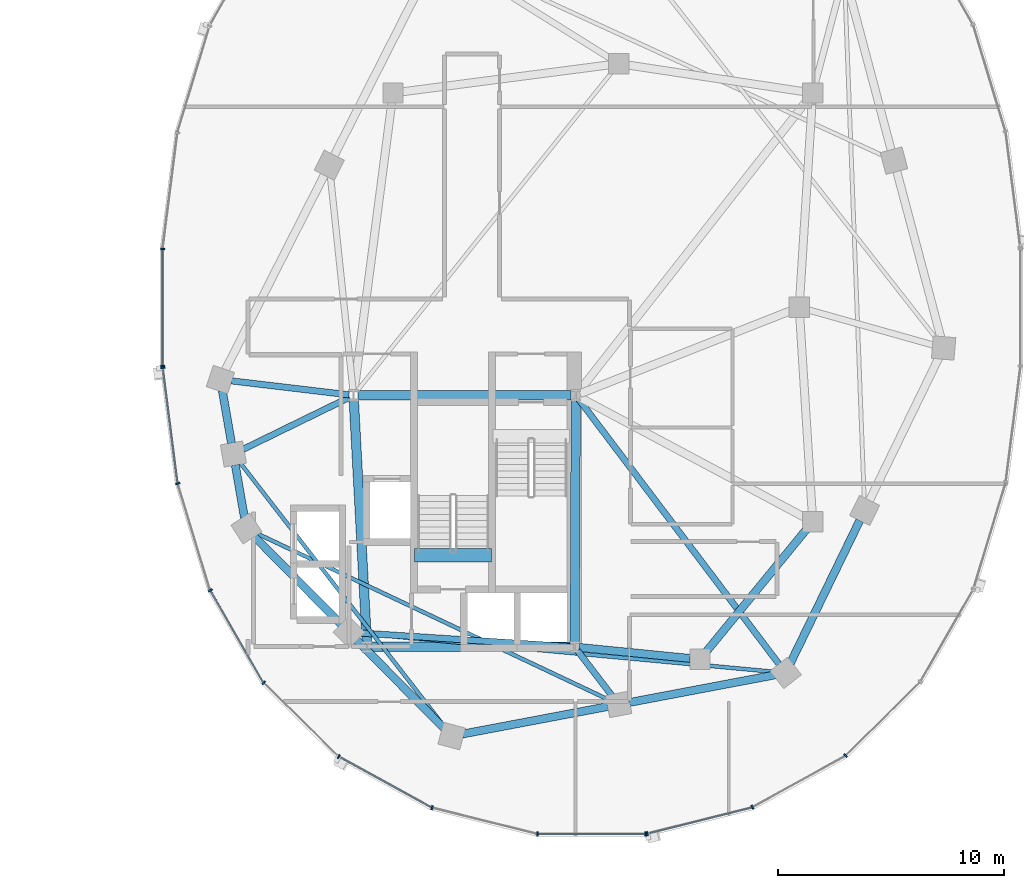
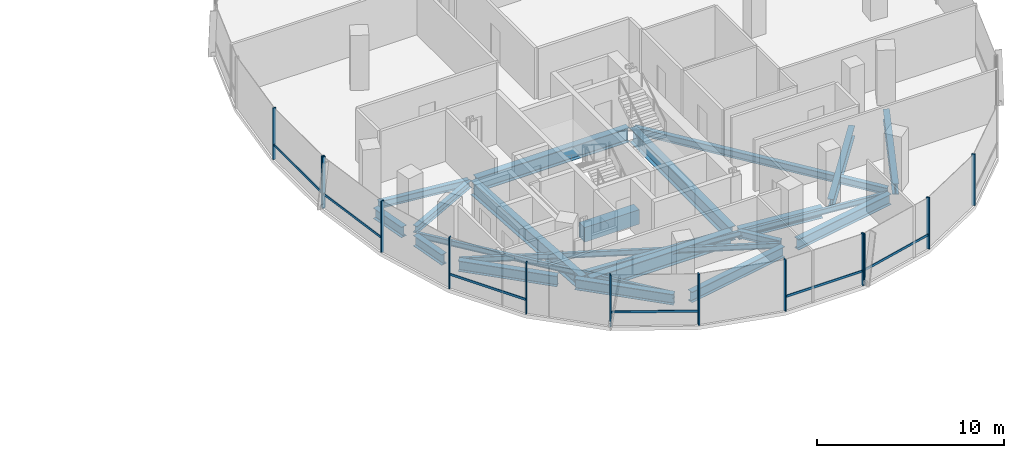
# One storey, part 6 of 22: 22 beams, 19 members, 3 elements without a shape of their own.
"""IFC4 building model written with IfcOpenShell, lengths in metres."""

import ifcopenshell
import ifcopenshell.guid

model = None  # the IFC model being written
_history = None  # IfcOwnerHistory: only IFC2X3 demands one
_inside = {}  # id of a spatial element -> (the spatial element, [elements in it])
_under = {}  # id of a project, library or spatial element -> (it, [spatial elements below it])
_declared = {}  # id of a project -> (the project, [libraries it declares])
_typed = {}  # id of a type object -> (the type object, [elements of that type])
_made_of = {}  # id of a material, layer set ... -> (it, [elements and type objects made of it])


def new_model(schema):
    """Start an empty IFC model of exactly this schema.

    Asked for "IFC4X3", IfcOpenShell would pick the latest addendum, in which some entities
    have other attributes; the version numbers below select the first issue.
    IFC2X3 requires an IfcOwnerHistory on every rooted entity: one is made here for all.
    """
    global model, _history
    if schema == "IFC4X3":
        model = ifcopenshell.file(schema_version=(4, 3, 0, 0))
    else:
        model = ifcopenshell.file(schema=schema)
    _inside.clear()
    _under.clear()
    _declared.clear()
    _typed.clear()
    _made_of.clear()
    _history = None
    if model.schema == "IFC2X3":
        org = make("IfcOrganization", Name="unknown")
        user = make(
            "IfcPersonAndOrganization",
            ThePerson=make("IfcPerson", FamilyName="unknown"),
            TheOrganization=org,
        )
        app = make(
            "IfcApplication",
            ApplicationDeveloper=org,
            Version="unknown",
            ApplicationFullName="unknown",
            ApplicationIdentifier="unknown",
        )
        _history = make(
            "IfcOwnerHistory",
            OwningUser=user,
            OwningApplication=app,
            ChangeAction="ADDED",
            CreationDate=0,
        )
    return model


def make(cls, **values):
    """One entity of the class cls with the attributes given. An attribute that is None is left unset."""
    return model.create_entity(
        cls, **{name: value for name, value in values.items() if value is not None}
    )


def rooted(cls, **values):
    """An entity with a GlobalId (a new one), such as an element, a storey or a relation."""
    return make(cls, GlobalId=ifcopenshell.guid.new(), OwnerHistory=_history, **values)


def si_unit(unit_type, name, prefix=None):
    """IfcSIUnit, for example si_unit("LENGTHUNIT", "METRE", prefix="MILLI")."""
    return make("IfcSIUnit", UnitType=unit_type, Prefix=prefix, Name=name)


def assignment(units):
    """IfcUnitAssignment: the units of a project."""
    return None if units is None else make("IfcUnitAssignment", Units=units)


def point(xyz):
    """IfcCartesianPoint."""
    return None if xyz is None else make("IfcCartesianPoint", Coordinates=xyz)


def direction(xyz):
    """IfcDirection."""
    return None if xyz is None else make("IfcDirection", DirectionRatios=xyz)


def frame(location, z_axis=None, x_axis=None):
    """IfcAxis2Placement3D, a coordinate frame: its origin and axes. An axis left out is left unset."""
    return make(
        "IfcAxis2Placement3D",
        Location=point(location),
        Axis=direction(z_axis),
        RefDirection=direction(x_axis),
    )


def frame_2d(location, x_axis=None):
    """IfcAxis2Placement2D, a coordinate frame in the plane: its origin and x axis."""
    return make(
        "IfcAxis2Placement2D", Location=point(location), RefDirection=direction(x_axis)
    )


def origin():
    """The frame at (0, 0, 0) with its axes left unset."""
    return frame((0.0, 0.0, 0.0))


def origin_2d():
    """The frame at (0, 0) in the plane with its x axis left unset."""
    return frame_2d((0.0, 0.0))


def place(relative_to, where):
    """IfcLocalPlacement: puts the frame where relative to a parent placement (None: the world)."""
    return make(
        "IfcLocalPlacement", PlacementRelTo=relative_to, RelativePlacement=where
    )


def context(
    kind, dimensions, precision=None, world=None, true_north=None, identifier=None
):
    """IfcGeometricRepresentationContext, for example the 3D "Model" context."""
    return make(
        "IfcGeometricRepresentationContext",
        ContextIdentifier=identifier,
        ContextType=kind,
        CoordinateSpaceDimension=dimensions,
        Precision=precision,
        WorldCoordinateSystem=world,
        TrueNorth=true_north,
    )


def subcontext(parent, identifier, kind, view, scale=None):
    """IfcGeometricRepresentationSubContext, for example "Body" below "Model"."""
    return make(
        "IfcGeometricRepresentationSubContext",
        ContextIdentifier=identifier,
        ContextType=kind,
        ParentContext=parent,
        TargetScale=scale,
        TargetView=view,
    )


def project(units=None, contexts=None):
    """IfcProject with its units and contexts."""
    return rooted(
        "IfcProject",
        Name="project",
        RepresentationContexts=contexts,
        UnitsInContext=assignment(units),
    )


def spatial(cls, under=None, at=None, **own):
    """A site, building, storey or space (cls), placed at a placement, below another one or the project."""
    s = rooted(cls, ObjectPlacement=at, **own)
    if under is not None:
        _under.setdefault(under.id(), (under, []))[1].append(s)
    return s


def profile(cls, at=None, kind="AREA", **sizes):
    """A parametric profile (cls). Its sizes go by their IFC names, for example OverallWidth=200.0."""
    return make(cls, ProfileType=kind, Position=at, **sizes)


def rectangle(**sizes):
    """IfcRectangleProfileDef."""
    return profile("IfcRectangleProfileDef", **sizes)


def i_section(**sizes):
    """IfcIShapeProfileDef."""
    return profile("IfcIShapeProfileDef", **sizes)


def extrude(swept, where, along, depth):
    """IfcExtrudedAreaSolid: the profile swept, set in the frame where, extruded along a direction by depth."""
    return make(
        "IfcExtrudedAreaSolid",
        SweptArea=swept,
        Position=where,
        ExtrudedDirection=direction(along),
        Depth=depth,
    )


def shape(context_of_items, identifier, shape_type, items):
    """IfcShapeRepresentation: the items that make up one representation, for example the "Body"."""
    return make(
        "IfcShapeRepresentation",
        ContextOfItems=context_of_items,
        RepresentationIdentifier=identifier,
        RepresentationType=shape_type,
        Items=items,
    )


def material(Name=None, Category=None):
    """IfcMaterial."""
    return make("IfcMaterial", Name=Name, Category=Category)


def material_profile(
    of_material, cross_section, Name=None, Category=None, Priority=None
):
    """IfcMaterialProfile: a cross section and its material."""
    return make(
        "IfcMaterialProfile",
        Name=Name,
        Material=of_material,
        Profile=cross_section,
        Priority=Priority,
        Category=Category,
    )


def profile_set(profiles, Name=None, composite=None):
    """IfcMaterialProfileSet."""
    return make(
        "IfcMaterialProfileSet",
        Name=Name,
        MaterialProfiles=profiles,
        CompositeProfile=composite,
    )


def made_of(thing, what):
    """Note that an element or type object is made of a material, layer set ...; save() writes the relation."""
    if what is not None:
        _made_of.setdefault(what.id(), (what, []))[1].append(thing)
    return thing


def type_object(cls, material=None, **own):
    """A type object (cls), such as IfcWallType, which elements share."""
    return made_of(rooted(cls, **own), material)


def element(
    cls,
    number,
    at=None,
    inside=None,
    cuts=None,
    type_object=None,
    material=None,
    context=None,
    identifier="Body",
    shape_type=None,
    held_by="IfcProductDefinitionShape",
    body=None,
    shapes=None,
    **own,
):
    """One element of the class cls, such as IfcWall. Its Tag is "e" and its number.

    at: its placement. inside: the storey or other place that contains it. cuts: it is an
    opening in that element (IfcRelVoidsElement). A single representation is given by context,
    identifier, shape_type and body (its items); several are given by shapes. held_by: the class
    of the entity that holds the representations. save() writes the other relations.
    """
    e = rooted(cls, Tag="e%d" % number, ObjectPlacement=at, **own)
    if body is not None:
        shapes = [shape(context, identifier, shape_type, body)]
    if shapes is not None:
        e.Representation = make(held_by, Representations=shapes)
    if inside is not None:
        _inside.setdefault(inside.id(), (inside, []))[1].append(e)
    if cuts is not None:
        rooted(
            "IfcRelVoidsElement", RelatingBuildingElement=cuts, RelatedOpeningElement=e
        )
    if type_object is not None:
        _typed.setdefault(type_object.id(), (type_object, []))[1].append(e)
    return made_of(e, material)


def aggregate(whole, parts):
    """IfcRelAggregates: a whole, such as a stair, and the parts it consists of."""
    return rooted("IfcRelAggregates", RelatingObject=whole, RelatedObjects=parts)


def save(model, path):
    """Write the relations noted so far, then the file.

    IfcRelAggregates (storeys below a building ...), IfcRelContainedInSpatialStructure (elements
    in a storey), IfcRelDefinesByType, IfcRelAssociatesMaterial and IfcRelDeclares: one each for
    every whole, place, type object, material and project.
    """
    for whole, parts in _under.values():
        aggregate(whole, parts)
    for where, things in _inside.values():
        rooted(
            "IfcRelContainedInSpatialStructure",
            RelatedElements=things,
            RelatingStructure=where,
        )
    for kind, things in _typed.values():
        rooted("IfcRelDefinesByType", RelatedObjects=things, RelatingType=kind)
    for what, things in _made_of.values():
        rooted("IfcRelAssociatesMaterial", RelatedObjects=things, RelatingMaterial=what)
    for by, libraries in _declared.values():
        rooted("IfcRelDeclares", RelatingContext=by, RelatedDefinitions=libraries)
    model.write(path)


model = new_model("IFC4")

# Units and contexts
model_context = context("Model", 3, precision=1e-05, world=origin(), true_north=direction((0.0, 1.0)))
body_context = subcontext(model_context, "Body", "Model", "MODEL_VIEW")
ifc_project = project(units=[si_unit("LENGTHUNIT", "METRE"), si_unit("AREAUNIT", "SQUARE_METRE"), si_unit("VOLUMEUNIT", "CUBIC_METRE"), si_unit("PLANEANGLEUNIT", "RADIAN"), si_unit("MASSUNIT", "GRAM", prefix="KILO"), si_unit("THERMODYNAMICTEMPERATUREUNIT", "KELVIN"), si_unit("POWERUNIT", "WATT")], contexts=[model_context])

# Site, building, storey
site_placement = place(None, origin())
site = spatial("IfcSite", under=ifc_project, at=site_placement, CompositionType="ELEMENT")
building_placement = place(site_placement, origin())
building = spatial("IfcBuilding", under=site, at=building_placement, Name="Cundina Bronze Exchange", CompositionType="ELEMENT")
storey_placement = place(building_placement, frame((0.0, 0.0, 165.60009765625)))
storey = spatial("IfcBuildingStorey", under=building, at=storey_placement, Name="L43", CompositionType="ELEMENT", Elevation=165.60009765625)

# Beams
ifc_material_1 = material(Name="Concrete C60/75", Category="concrete")
ifc_material_profile_1 = material_profile(ifc_material_1, rectangle(XDim=0.60009765625, YDim=0.949951171875, at=origin_2d()), Name="RC600X950", Category="concrete")
ifc_profile_set_1 = profile_set([ifc_material_profile_1], Name="Concrete C60/75")
beam_type_1 = type_object("IfcBeamType", Name="BM-COUP-RC950", PredefinedType="LINTEL", material=ifc_profile_set_1)
beam_1_placement = place(storey_placement, frame((24.159912109375, -10.97998046875, -0.47509765625), z_axis=(1.0, 0.0, 0.0), x_axis=(0.0, 1.0, 0.0)))
element("IfcBeam", 1, at=beam_1_placement, inside=storey, type_object=beam_type_1, Name="L43 Stair E2 Landing Header Beam", PredefinedType="LINTEL", context=body_context, shape_type="SweptSolid", body=[
    extrude(rectangle(XDim=0.60009765625, YDim=0.949951171875, at=origin_2d()), origin(), (0.0, 0.0, 1.0), 3.400146484375),
])
ifc_material_2 = material(Name="Steel ASTM A992 Grade 50", Category="steel")
ifc_material_profile_2 = material_profile(ifc_material_2, i_section(OverallWidth=0.280029296875, OverallDepth=0.462890625, WebThickness=0.0107421875, FlangeThickness=0.017333984375, FilletRadius=0.011962890625, at=origin_2d()), Name="W18X76", Category="steel")
ifc_profile_set_2 = profile_set([ifc_material_profile_2], Name="Steel ASTM A992 Grade 50")
beam_type_2 = type_object("IfcBeamType", Name="BM-FLR-W18A", PredefinedType="BEAM", material=ifc_profile_set_2)
beam_2_placement = place(storey_placement, frame((21.247314453125, -3.8759765625, -0.4716796875), z_axis=(-0.993036158382, 0.11780996624, 0.0), x_axis=(-0.11780996624, -0.993036158382, 0.0)))
element("IfcBeam", 2, at=beam_2_placement, inside=storey, type_object=beam_type_2, Name="L43 Leg E Chordal Floor Beam 00", PredefinedType="BEAM", context=body_context, shape_type="SweptSolid", body=[
    extrude(i_section(OverallWidth=0.280029296875, OverallDepth=0.462890625, WebThickness=0.0107421875, FlangeThickness=0.017333984375, FilletRadius=0.011962890625, at=origin_2d()), origin(), (0.0, 0.0, 1.0), 5.249267578125),
])
beam_3_placement = place(storey_placement, frame((21.2666015625, -3.989501953125, -0.4716796875), z_axis=(-0.898604300669, -0.438759969481, 0.0), x_axis=(0.438759969481, -0.898604300669, 0.0)))
element("IfcBeam", 3, at=beam_3_placement, inside=storey, type_object=beam_type_2, Name="L43 Leg E Chordal Floor Beam 01", PredefinedType="BEAM", context=body_context, shape_type="SweptSolid", body=[
    extrude(i_section(OverallWidth=0.280029296875, OverallDepth=0.462890625, WebThickness=0.0107421875, FlangeThickness=0.017333984375, FilletRadius=0.011962890625, at=origin_2d()), origin(), (0.0, 0.0, 1.0), 5.23388671875),
])
beam_4_placement = place(storey_placement, frame((31.04638671875, -15.036865234375, -0.4716796875), z_axis=(-0.99789334888, 0.064875760192, 0.0), x_axis=(-0.064875760192, -0.99789334888, 0.0)))
element("IfcBeam", 4, at=beam_4_placement, inside=storey, type_object=beam_type_2, Name="L43 Leg E Chordal Floor Beam 03", PredefinedType="BEAM", context=body_context, shape_type="SweptSolid", body=[
    extrude(i_section(OverallWidth=0.280029296875, OverallDepth=0.462890625, WebThickness=0.0107421875, FlangeThickness=0.017333984375, FilletRadius=0.011962890625, at=origin_2d()), origin(), (0.0, 0.0, 1.0), 9.328857421875),
])
beam_5_placement = place(storey_placement, frame((31.373779296875, -15.2119140625, -0.4716796875), z_axis=(0.607450107571, -0.794357832977, 0.0), x_axis=(0.794357832977, 0.607450107571, 0.0)))
element("IfcBeam", 5, at=beam_5_placement, inside=storey, type_object=beam_type_2, Name="L43 Leg E Chordal Floor Beam 05", PredefinedType="BEAM", context=body_context, shape_type="SweptSolid", body=[
    extrude(i_section(OverallWidth=0.280029296875, OverallDepth=0.462890625, WebThickness=0.0107421875, FlangeThickness=0.017333984375, FilletRadius=0.011962890625, at=origin_2d()), origin(), (0.0, 0.0, 1.0), 2.518310546875),
])
beam_6_placement = place(storey_placement, frame((31.423095703125, -4.062744140625, -0.4716796875), z_axis=(0.603103901721, -0.797662637792, 0.0), x_axis=(0.797662637792, 0.603103901721, 0.0)))
element("IfcBeam", 6, at=beam_6_placement, inside=storey, type_object=beam_type_2, Name="L43 Leg E Chordal Floor Beam 06", PredefinedType="BEAM", context=body_context, shape_type="SweptSolid", body=[
    extrude(i_section(OverallWidth=0.280029296875, OverallDepth=0.462890625, WebThickness=0.0107421875, FlangeThickness=0.017333984375, FilletRadius=0.011962890625, at=origin_2d()), origin(), (0.0, 0.0, 1.0), 14.72802734375),
])
ifc_material_profile_3 = material_profile(ifc_material_2, i_section(OverallWidth=0.172119140625, OverallDepth=0.35791015625, WebThickness=0.0078125, FlangeThickness=0.01318359375, FilletRadius=0.010009765625, at=origin_2d()), Name="W14X38", Category="steel")
ifc_profile_set_3 = profile_set([ifc_material_profile_3], Name="Steel ASTM A992 Grade 50")
beam_type_3 = type_object("IfcBeamType", Name="BM-JST-W14", PredefinedType="JOIST", material=ifc_profile_set_3)
beam_7_placement = place(storey_placement, frame((16.423583984375, -6.885986328125, -0.419189453125), z_axis=(0.61208354334, -0.790793105668, 0.0), x_axis=(0.790793105668, 0.61208354334, 0.0)))
element("IfcBeam", 7, at=beam_7_placement, inside=storey, type_object=beam_type_3, Name="L43 Leg E Lobe Floor Joist 01-04", PredefinedType="JOIST", context=body_context, shape_type="SweptSolid", body=[
    extrude(i_section(OverallWidth=0.172119140625, OverallDepth=0.35791015625, WebThickness=0.0078125, FlangeThickness=0.01318359375, FilletRadius=0.010009765625, at=origin_2d()), origin(), (0.0, 0.0, 1.0), 14.830810546875),
])
beam_8_placement = place(storey_placement, frame((17.14111328125, -10.008544921875, -0.419189453125), z_axis=(0.904074252188, -0.427375416385, 0.0), x_axis=(0.427375416385, 0.904074252188, 0.0)))
element("IfcBeam", 8, at=beam_8_placement, inside=storey, type_object=beam_type_3, Name="L43 Leg E Lobe Floor Joist 02-05", PredefinedType="JOIST", context=body_context, shape_type="SweptSolid", body=[
    extrude(i_section(OverallWidth=0.172119140625, OverallDepth=0.35791015625, WebThickness=0.0078125, FlangeThickness=0.01318359375, FilletRadius=0.010009765625, at=origin_2d()), origin(), (0.0, 0.0, 1.0), 17.274658203125),
])
beam_9_placement = place(storey_placement, frame((21.73583984375, -14.4453125, -0.419189453125), z_axis=(0.995701840093, -0.092616659595, 0.0), x_axis=(0.092616659595, 0.995701840093, 0.0)))
element("IfcBeam", 9, at=beam_9_placement, inside=storey, type_object=beam_type_3, Name="L43 Leg E Lobe Floor Joist 03-06", PredefinedType="JOIST", context=body_context, shape_type="SweptSolid", body=[
    extrude(i_section(OverallWidth=0.172119140625, OverallDepth=0.35791015625, WebThickness=0.0078125, FlangeThickness=0.01318359375, FilletRadius=0.010009765625, at=origin_2d()), origin(), (0.0, 0.0, 1.0), 18.45751953125),
])
ifc_material_profile_4 = material_profile(ifc_material_2, i_section(OverallWidth=0.35498046875, OverallDepth=0.695068359375, WebThickness=0.015380859375, FlangeThickness=0.02490234375, FilletRadius=0.01806640625, at=origin_2d()), Name="W27X146", Category="steel")
ifc_profile_set_4 = profile_set([ifc_material_profile_4], Name="Steel ASTM A992 Grade 50")
beam_type_4 = type_object("IfcBeamType", Name="BM-RING-W27", PredefinedType="USERDEFINED", material=ifc_profile_set_4)
beam_10_placement = place(storey_placement, frame((31.452880859375, -15.070068359375, -0.587646484375), z_axis=(0.995123020608, -0.098641643622, 0.0), x_axis=(0.098641643622, 0.995123020608, 0.0)))
element("IfcBeam", 10, at=beam_10_placement, inside=storey, type_object=beam_type_4, Name="L43 E Inner Structural Ring Girder 01", ObjectType="GIRDER", PredefinedType="USERDEFINED", context=body_context, shape_type="SweptSolid", body=[
    extrude(i_section(OverallWidth=0.35498046875, OverallDepth=0.695068359375, WebThickness=0.015380859375, FlangeThickness=0.02490234375, FilletRadius=0.01806640625, at=origin_2d()), origin(), (0.0, 0.0, 1.0), 4.935302734375),
])
beam_11_placement = place(storey_placement, frame((37.07763671875, -15.26123046875, -0.587646484375), z_axis=(0.633912590175, 0.77340469873, 0.0), x_axis=(-0.77340469873, 0.633912590175, 0.0)))
element("IfcBeam", 11, at=beam_11_placement, inside=storey, type_object=beam_type_4, Name="L43 E Inner Structural Ring Girder 02", ObjectType="GIRDER", PredefinedType="USERDEFINED", context=body_context, shape_type="SweptSolid", body=[
    extrude(i_section(OverallWidth=0.35498046875, OverallDepth=0.695068359375, WebThickness=0.015380859375, FlangeThickness=0.02490234375, FilletRadius=0.01806640625, at=origin_2d()), origin(), (0.0, 0.0, 1.0), 7.01123046875),
])
for number, where, z_axis, x_axis, name in (
    (12, (15.6337890625, -3.680908203125, -0.587646484375), (0.171666718895, -0.985155083032, 0.0), (0.985155083032, 0.171666718895, 0.0), "L43 E Perimeter Ring Girder 00"),
    (13, (16.208740234375, -6.980712890625, -0.587646484375), (0.171666718895, -0.985155083032, 0.0), (0.985155083032, 0.171666718895, 0.0), "L43 E Perimeter Ring Girder 01"),
):
    element("IfcBeam", number, at=place(storey_placement, frame(where, z_axis=z_axis, x_axis=x_axis)), inside=storey, type_object=beam_type_4, Name=name, ObjectType="GIRDER", PredefinedType="USERDEFINED", context=body_context, shape_type="SweptSolid", body=[
        extrude(i_section(OverallWidth=0.35498046875, OverallDepth=0.695068359375, WebThickness=0.015380859375, FlangeThickness=0.02490234375, FilletRadius=0.01806640625, at=origin_2d()), origin(), (0.0, 0.0, 1.0), 2.37353515625),
    ])
beam_12_placement = place(storey_placement, frame((17.043212890625, -10.14697265625, -0.587646484375), z_axis=(0.703230112979, -0.710962311378, 0.0), x_axis=(0.710962311378, 0.703230112979, 0.0)))
element("IfcBeam", 14, at=beam_12_placement, inside=storey, type_object=beam_type_4, Name="L43 E Perimeter Ring Girder 02", ObjectType="GIRDER", PredefinedType="USERDEFINED", context=body_context, shape_type="SweptSolid", body=[
    extrude(i_section(OverallWidth=0.35498046875, OverallDepth=0.695068359375, WebThickness=0.015380859375, FlangeThickness=0.02490234375, FilletRadius=0.01806640625, at=origin_2d()), origin(), (0.0, 0.0, 1.0), 5.493896484375),
])
beam_13_placement = place(storey_placement, frame((21.59326171875, -14.746826171875, -0.587646484375), z_axis=(0.703207895705, -0.710984286337, 0.0), x_axis=(0.710984286337, 0.703207895705, 0.0)))
element("IfcBeam", 15, at=beam_13_placement, inside=storey, type_object=beam_type_4, Name="L43 E Perimeter Ring Girder 03", ObjectType="GIRDER", PredefinedType="USERDEFINED", context=body_context, shape_type="SweptSolid", body=[
    extrude(i_section(OverallWidth=0.35498046875, OverallDepth=0.695068359375, WebThickness=0.015380859375, FlangeThickness=0.02490234375, FilletRadius=0.01806640625, at=origin_2d()), origin(), (0.0, 0.0, 1.0), 5.494140625),
])
beam_14_placement = place(storey_placement, frame((26.279541015625, -18.9091796875, -0.587646484375), z_axis=(0.982571532667, 0.185884865421, 0.0), x_axis=(-0.185884865421, 0.982571532667, 0.0)))
element("IfcBeam", 16, at=beam_14_placement, inside=storey, type_object=beam_type_4, Name="L43 E Perimeter Ring Girder 04", ObjectType="GIRDER", PredefinedType="USERDEFINED", context=body_context, shape_type="SweptSolid", body=[
    extrude(i_section(OverallWidth=0.35498046875, OverallDepth=0.695068359375, WebThickness=0.015380859375, FlangeThickness=0.02490234375, FilletRadius=0.01806640625, at=origin_2d()), origin(), (0.0, 0.0, 1.0), 6.55517578125),
])
beam_15_placement = place(storey_placement, frame((33.679443359375, -17.50927734375, -0.587646484375), z_axis=(0.982572819495, 0.185878063226, 0.0), x_axis=(-0.185878063226, 0.982572819495, 0.0)))
element("IfcBeam", 17, at=beam_15_placement, inside=storey, type_object=beam_type_4, Name="L43 E Perimeter Ring Girder 05", ObjectType="GIRDER", PredefinedType="USERDEFINED", context=body_context, shape_type="SweptSolid", body=[
    extrude(i_section(OverallWidth=0.35498046875, OverallDepth=0.695068359375, WebThickness=0.015380859375, FlangeThickness=0.02490234375, FilletRadius=0.01806640625, at=origin_2d()), origin(), (0.0, 0.0, 1.0), 6.555419921875),
])
beam_16_placement = place(storey_placement, frame((40.8134765625, -15.760986328125, -0.587646484375), z_axis=(0.437196998825, 0.89936576776, 0.0), x_axis=(-0.89936576776, 0.437196998825, 0.0)))
element("IfcBeam", 18, at=beam_16_placement, inside=storey, type_object=beam_type_4, Name="L43 E Perimeter Ring Girder 06", ObjectType="GIRDER", PredefinedType="USERDEFINED", context=body_context, shape_type="SweptSolid", body=[
    extrude(i_section(OverallWidth=0.35498046875, OverallDepth=0.695068359375, WebThickness=0.015380859375, FlangeThickness=0.02490234375, FilletRadius=0.01806640625, at=origin_2d()), origin(), (0.0, 0.0, 1.0), 7.029541015625),
])
ifc_material_profile_5 = material_profile(ifc_material_2, i_section(OverallWidth=0.41796875, OverallDepth=0.927001953125, WebThickness=0.019287109375, FlangeThickness=0.031982421875, FilletRadius=0.02392578125, at=origin_2d()), Name="W36X231", Category="steel")
ifc_profile_set_5 = profile_set([ifc_material_profile_5], Name="Steel ASTM A992 Grade 50")
beam_type_5 = type_object("IfcBeamType", Name="BM-WRN-W36B", PredefinedType="USERDEFINED", material=ifc_profile_set_5)
beam_17_placement = place(storey_placement, frame((31.095947265625, -3.89990234375, -0.70361328125), z_axis=(-1.0, 0.0, 0.0), x_axis=(0.0, -1.0, 0.0)))
element("IfcBeam", 19, at=beam_17_placement, inside=storey, type_object=beam_type_5, Name="L43 E Core Perimeter Tie Girder 1", ObjectType="GIRDER", PredefinedType="USERDEFINED", context=body_context, shape_type="SweptSolid", body=[
    extrude(i_section(OverallWidth=0.41796875, OverallDepth=0.927001953125, WebThickness=0.019287109375, FlangeThickness=0.031982421875, FilletRadius=0.02392578125, at=origin_2d()), origin(), (0.0, 0.0, 1.0), 9.44189453125),
])
beam_18_placement = place(storey_placement, frame((21.4609375, -4.103759765625, -0.70361328125), z_axis=(0.053739193498, -0.998555005537, 0.0), x_axis=(0.998555005537, 0.053739193498, 0.0)))
element("IfcBeam", 20, at=beam_18_placement, inside=storey, type_object=beam_type_5, Name="L43 E Core Perimeter Tie Girder 2", ObjectType="GIRDER", PredefinedType="USERDEFINED", context=body_context, shape_type="SweptSolid", body=[
    extrude(i_section(OverallWidth=0.41796875, OverallDepth=0.927001953125, WebThickness=0.019287109375, FlangeThickness=0.031982421875, FilletRadius=0.02392578125, at=origin_2d()), origin(), (0.0, 0.0, 1.0), 10.758056640625),
])
beam_19_placement = place(storey_placement, frame((22.25390625, -15.050048828125, -0.70361328125), z_axis=(1.0, 0.0, 0.0), x_axis=(0.0, 1.0, 0.0)))
element("IfcBeam", 21, at=beam_19_placement, inside=storey, type_object=beam_type_5, Name="L43 E Core Perimeter Tie Girder 3", ObjectType="GIRDER", PredefinedType="USERDEFINED", context=body_context, shape_type="SweptSolid", body=[
    extrude(i_section(OverallWidth=0.41796875, OverallDepth=0.927001953125, WebThickness=0.019287109375, FlangeThickness=0.031982421875, FilletRadius=0.02392578125, at=origin_2d()), origin(), (0.0, 0.0, 1.0), 8.7919921875),
])
beam_20_placement = place(storey_placement, frame((31.2509765625, -14.845947265625, -0.70361328125), z_axis=(0.004477329608, 0.99998997671, 0.0), x_axis=(-0.99998997671, 0.004477329608, 0.0)))
element("IfcBeam", 22, at=beam_20_placement, inside=storey, type_object=beam_type_5, Name="L43 E Core Perimeter Tie Girder 4", ObjectType="GIRDER", PredefinedType="USERDEFINED", context=body_context, shape_type="SweptSolid", body=[
    extrude(i_section(OverallWidth=0.41796875, OverallDepth=0.927001953125, WebThickness=0.019287109375, FlangeThickness=0.031982421875, FilletRadius=0.02392578125, at=origin_2d()), origin(), (0.0, 0.0, 1.0), 10.741943359375),
])

# Curtain wall, members
ifc_material_3 = material(Name="Anodised Bronze Aluminium 6063-T6", Category="aluminium")
curtain_wall_type = type_object("IfcCurtainWallType", Name="CWS-WST-PIN", PredefinedType="NOTDEFINED", material=ifc_material_3)
curtain_wall_1_placement = place(storey_placement, origin())
curtain_wall_1 = element("IfcCurtainWall", 23, at=curtain_wall_1_placement, inside=storey, type_object=curtain_wall_type, Name="L43 CW-04 Curtain Wall Run CWR-L43-E2", PredefinedType="NOTDEFINED")
ifc_material_profile_6 = material_profile(ifc_material_3, rectangle(XDim=0.070068359375, YDim=0.18994140625, at=origin_2d()), Name="AL70X190", Category="aluminium")
ifc_profile_set_6 = profile_set([ifc_material_profile_6], Name="Anodised Bronze Aluminium 6063-T6")
member_type_1 = type_object("IfcMemberType", Name="CWM-MUL-190", PredefinedType="MULLION", material=ifc_profile_set_6)
member_1_placement = place(storey_placement, frame((12.992919921875, 2.593017578125, 0.0), z_axis=(0.0, 0.0, 1.0), x_axis=(0.0, -1.0, 0.0)))
member_1 = element("IfcMember", 24, at=member_1_placement, type_object=member_type_1, Name="CW-04 Mullion 7", PredefinedType="MULLION", context=body_context, shape_type="SweptSolid", body=[
    extrude(rectangle(XDim=0.070068359375, YDim=0.18994140625, at=origin_2d()), origin(), (0.0, 0.0, 1.0), 3.35986328125),
])
member_2_placement = place(storey_placement, frame((12.992919921875, -2.593017578125, 0.0), z_axis=(0.0, 0.0, 1.0), x_axis=(0.0, -1.0, 0.0)))
member_2 = element("IfcMember", 25, at=member_2_placement, type_object=member_type_1, Name="CW-04 End Mullion", PredefinedType="MULLION", context=body_context, shape_type="SweptSolid", body=[
    extrude(rectangle(XDim=0.070068359375, YDim=0.18994140625, at=origin_2d()), origin(), (0.0, 0.0, 1.0), 3.35986328125),
])

curtain_wall_2_placement = place(storey_placement, origin())
curtain_wall_2 = element("IfcCurtainWall", 26, at=curtain_wall_2_placement, inside=storey, type_object=curtain_wall_type, Name="L43 CW-04 Curtain Wall Run CWR-L43-E3", PredefinedType="NOTDEFINED")
member_3_placement = place(storey_placement, frame((12.998291015625, -2.676025390625, 0.0), z_axis=(0.0, 0.0, 1.0), x_axis=(0.126545236492, -0.991960837494, 0.0)))
member_3 = element("IfcMember", 27, at=member_3_placement, type_object=member_type_1, Name="CW-04 Mullion 1", PredefinedType="MULLION", context=body_context, shape_type="SweptSolid", body=[
    extrude(rectangle(XDim=0.070068359375, YDim=0.18994140625, at=origin_2d()), origin(), (0.0, 0.0, 1.0), 3.35986328125),
])
member_4_placement = place(storey_placement, frame((13.6591796875, -7.80859375, 0.0), z_axis=(0.0, 0.0, 1.0), x_axis=(0.290034140915, -0.957016299288, 0.0)))
member_4 = element("IfcMember", 28, at=member_4_placement, type_object=member_type_1, Name="CW-04 Mullion 2", PredefinedType="MULLION", context=body_context, shape_type="SweptSolid", body=[
    extrude(rectangle(XDim=0.070068359375, YDim=0.18994140625, at=origin_2d()), origin(), (0.0, 0.0, 1.0), 3.35986328125),
])
member_5_placement = place(storey_placement, frame((15.10205078125, -12.541259765625, 0.0), z_axis=(0.0, 0.0, 1.0), x_axis=(0.498487739754, -0.866896748936, 0.0)))
member_5 = element("IfcMember", 29, at=member_5_placement, type_object=member_type_1, Name="CW-04 Mullion 3", PredefinedType="MULLION", context=body_context, shape_type="SweptSolid", body=[
    extrude(rectangle(XDim=0.070068359375, YDim=0.18994140625, at=origin_2d()), origin(), (0.0, 0.0, 1.0), 3.35986328125),
])
member_6_placement = place(storey_placement, frame((17.469482421875, -16.640380859375, 0.0), z_axis=(0.0, 0.0, 1.0), x_axis=(0.712026045991, -0.702153052995, 0.0)))
member_6 = element("IfcMember", 30, at=member_6_placement, type_object=member_type_1, Name="CW-04 Mullion 4", PredefinedType="MULLION", context=body_context, shape_type="SweptSolid", body=[
    extrude(rectangle(XDim=0.070068359375, YDim=0.18994140625, at=origin_2d()), origin(), (0.0, 0.0, 1.0), 3.35986328125),
])
member_7_placement = place(storey_placement, frame((20.79345703125, -19.906005859375, 0.0), z_axis=(0.0, 0.0, 1.0), x_axis=(0.875885937035, -0.482518212408, 0.0)))
member_7 = element("IfcMember", 31, at=member_7_placement, type_object=member_type_1, Name="CW-04 Mullion 5", PredefinedType="MULLION", context=body_context, shape_type="SweptSolid", body=[
    extrude(rectangle(XDim=0.070068359375, YDim=0.18994140625, at=origin_2d()), origin(), (0.0, 0.0, 1.0), 3.35986328125),
])
member_8_placement = place(storey_placement, frame((24.932373046875, -22.17626953125, 0.0), z_axis=(0.0, 0.0, 1.0), x_axis=(0.970084240161, -0.242768546132, 0.0)))
member_8 = element("IfcMember", 32, at=member_8_placement, type_object=member_type_1, Name="CW-04 Mullion 6", PredefinedType="MULLION", context=body_context, shape_type="SweptSolid", body=[
    extrude(rectangle(XDim=0.070068359375, YDim=0.18994140625, at=origin_2d()), origin(), (0.0, 0.0, 1.0), 3.35986328125),
])
member_9_placement = place(storey_placement, frame((29.60595703125, -23.3369140625, 0.0), z_axis=(0.0, 0.0, 1.0), x_axis=(1.0, 0.0, 0.0)))
member_9 = element("IfcMember", 33, at=member_9_placement, type_object=member_type_1, Name="CW-04 Mullion 7", PredefinedType="MULLION", context=body_context, shape_type="SweptSolid", body=[
    extrude(rectangle(XDim=0.070068359375, YDim=0.18994140625, at=origin_2d()), origin(), (0.0, 0.0, 1.0), 3.35986328125),
])
member_10_placement = place(storey_placement, frame((34.39404296875, -23.3369140625, 0.0), z_axis=(0.0, 0.0, 1.0), x_axis=(1.0, 0.0, 0.0)))
member_10 = element("IfcMember", 34, at=member_10_placement, type_object=member_type_1, Name="CW-04 End Mullion", PredefinedType="MULLION", context=body_context, shape_type="SweptSolid", body=[
    extrude(rectangle(XDim=0.070068359375, YDim=0.18994140625, at=origin_2d()), origin(), (0.0, 0.0, 1.0), 3.35986328125),
])

curtain_wall_3_placement = place(storey_placement, origin())
curtain_wall_3 = element("IfcCurtainWall", 35, at=curtain_wall_3_placement, inside=storey, type_object=curtain_wall_type, Name="L43 CW-04 Curtain Wall Run CWR-L43-E4", PredefinedType="NOTDEFINED")
member_11_placement = place(storey_placement, frame((34.462646484375, -23.32861328125, 0.0), z_axis=(0.0, 0.0, 1.0), x_axis=(0.970084240161, 0.242768546132, 0.0)))
member_11 = element("IfcMember", 36, at=member_11_placement, type_object=member_type_1, Name="CW-04 Mullion 1", PredefinedType="MULLION", context=body_context, shape_type="SweptSolid", body=[
    extrude(rectangle(XDim=0.070068359375, YDim=0.18994140625, at=origin_2d()), origin(), (0.0, 0.0, 1.0), 3.35986328125),
])
member_12_placement = place(storey_placement, frame((39.13037109375, -22.151611328125, 0.0), z_axis=(0.0, 0.0, 1.0), x_axis=(0.875885937035, 0.482518212408, 0.0)))
member_12 = element("IfcMember", 37, at=member_12_placement, type_object=member_type_1, Name="CW-04 Mullion 2", PredefinedType="MULLION", context=body_context, shape_type="SweptSolid", body=[
    extrude(rectangle(XDim=0.070068359375, YDim=0.18994140625, at=origin_2d()), origin(), (0.0, 0.0, 1.0), 3.35986328125),
])
member_13_placement = place(storey_placement, frame((43.259033203125, -19.86669921875, 0.0), z_axis=(0.0, 0.0, 1.0), x_axis=(0.712026045991, 0.702153052995, 0.0)))
member_13 = element("IfcMember", 38, at=member_13_placement, type_object=member_type_1, Name="CW-04 Mullion 3", PredefinedType="MULLION", context=body_context, shape_type="SweptSolid", body=[
    extrude(rectangle(XDim=0.070068359375, YDim=0.18994140625, at=origin_2d()), origin(), (0.0, 0.0, 1.0), 3.35986328125),
])

# Member
ifc_material_profile_7 = material_profile(ifc_material_3, rectangle(XDim=0.06494140625, YDim=0.14990234375, at=origin_2d()), Name="AL65X150", Category="aluminium")
ifc_profile_set_7 = profile_set([ifc_material_profile_7], Name="Anodised Bronze Aluminium 6063-T6")
member_type_2 = type_object("IfcMemberType", Name="CWM-TRN-150", PredefinedType="USERDEFINED", material=ifc_profile_set_7)
member_14_placement = place(storey_placement, frame((12.992919921875, 2.554443359375, 0.919921875), z_axis=(0.0, -1.0, 0.0), x_axis=(1.0, 0.0, 0.0)))
member_14 = element("IfcMember", 39, at=member_14_placement, type_object=member_type_2, Name="CW-04 Spandrel Transom 7", ObjectType="TRANSOM", PredefinedType="USERDEFINED", context=body_context, shape_type="SweptSolid", body=[
    extrude(rectangle(XDim=0.06494140625, YDim=0.14990234375, at=origin_2d()), origin(), (0.0, 0.0, 1.0), 5.10888671875),
])

aggregate(curtain_wall_1, [member_1, member_2, member_14])

member_15_placement = place(storey_placement, frame((13.003173828125, -2.71435546875, 0.919921875), z_axis=(0.12646340362, -0.991971273548, 0.0), x_axis=(0.991971273548, 0.12646340362, 0.0)))
member_15 = element("IfcMember", 40, at=member_15_placement, type_object=member_type_2, Name="CW-04 Spandrel Transom 1", ObjectType="TRANSOM", PredefinedType="USERDEFINED", context=body_context, shape_type="SweptSolid", body=[
    extrude(rectangle(XDim=0.06494140625, YDim=0.14990234375, at=origin_2d()), origin(), (0.0, 0.0, 1.0), 5.0966796875),
])

member_16_placement = place(storey_placement, frame((15.121337890625, -12.574462890625, 0.919921875), z_axis=(0.498479967047, -0.866901218394, 0.0), x_axis=(0.866901218394, 0.498479967047, 0.0)))
member_16 = element("IfcMember", 41, at=member_16_placement, type_object=member_type_2, Name="CW-04 Spandrel Transom 3", ObjectType="TRANSOM", PredefinedType="USERDEFINED", context=body_context, shape_type="SweptSolid", body=[
    extrude(rectangle(XDim=0.06494140625, YDim=0.14990234375, at=origin_2d()), origin(), (0.0, 0.0, 1.0), 4.66845703125),
])

member_17_placement = place(storey_placement, frame((20.8271484375, -19.924560546875, 0.919921875), z_axis=(0.875878981549, -0.482530838062, 0.0), x_axis=(0.482530838062, 0.875878981549, 0.0)))
member_17 = element("IfcMember", 42, at=member_17_placement, type_object=member_type_2, Name="CW-04 Spandrel Transom 5", ObjectType="TRANSOM", PredefinedType="USERDEFINED", context=body_context, shape_type="SweptSolid", body=[
    extrude(rectangle(XDim=0.06494140625, YDim=0.14990234375, at=origin_2d()), origin(), (0.0, 0.0, 1.0), 4.65380859375),
])

member_18_placement = place(storey_placement, frame((29.64453125, -23.3369140625, 0.919921875), z_axis=(1.0, 0.0, 0.0), x_axis=(0.0, 1.0, 0.0)))
member_18 = element("IfcMember", 43, at=member_18_placement, type_object=member_type_2, Name="CW-04 Spandrel Transom 7", ObjectType="TRANSOM", PredefinedType="USERDEFINED", context=body_context, shape_type="SweptSolid", body=[
    extrude(rectangle(XDim=0.06494140625, YDim=0.14990234375, at=origin_2d()), origin(), (0.0, 0.0, 1.0), 4.7109375),
])

aggregate(curtain_wall_2, [member_3, member_15, member_4, member_5, member_16, member_6, member_7, member_17, member_8, member_9, member_10, member_18])

member_19_placement = place(storey_placement, frame((34.5, -23.319091796875, 0.919921875), z_axis=(0.970100130035, 0.242705042606, 0.0), x_axis=(-0.242705042606, 0.970100130035, 0.0)))
member_19 = element("IfcMember", 44, at=member_19_placement, type_object=member_type_2, Name="CW-04 Spandrel Transom 1", ObjectType="TRANSOM", PredefinedType="USERDEFINED", context=body_context, shape_type="SweptSolid", body=[
    extrude(rectangle(XDim=0.06494140625, YDim=0.14990234375, at=origin_2d()), origin(), (0.0, 0.0, 1.0), 4.746826171875),
])

aggregate(curtain_wall_3, [member_11, member_19, member_12, member_13])

save(model, "model.ifc")
